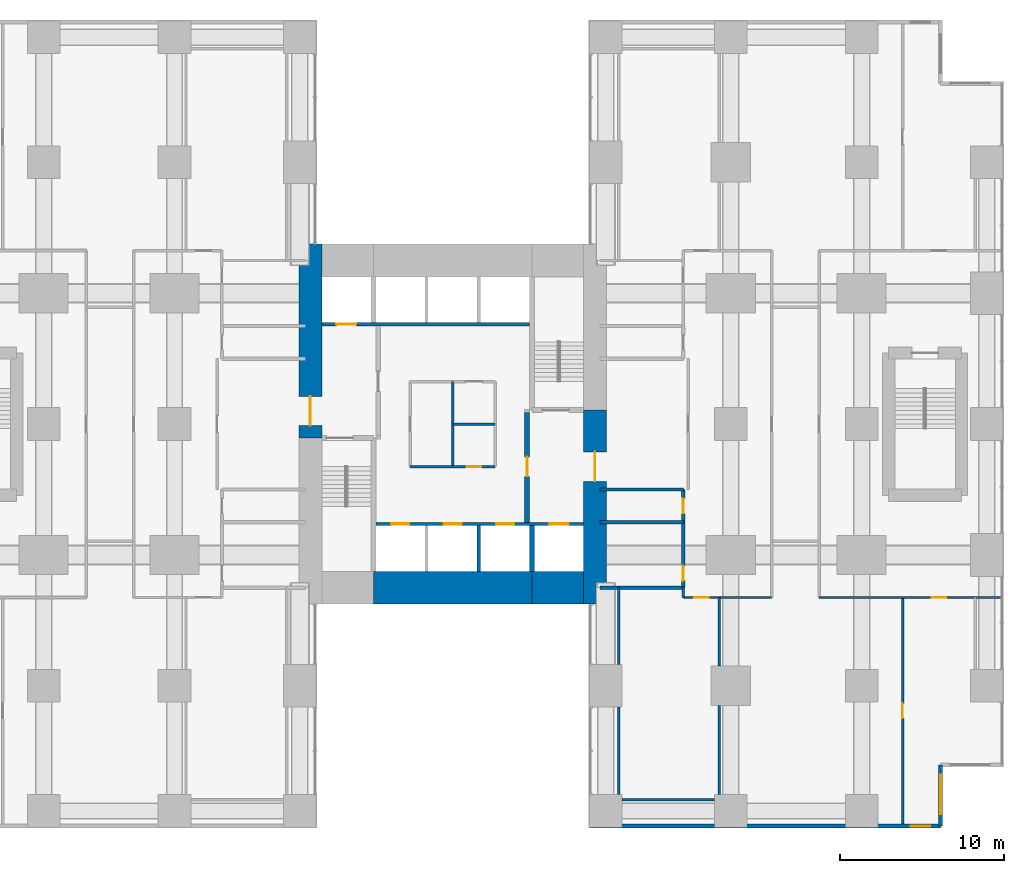
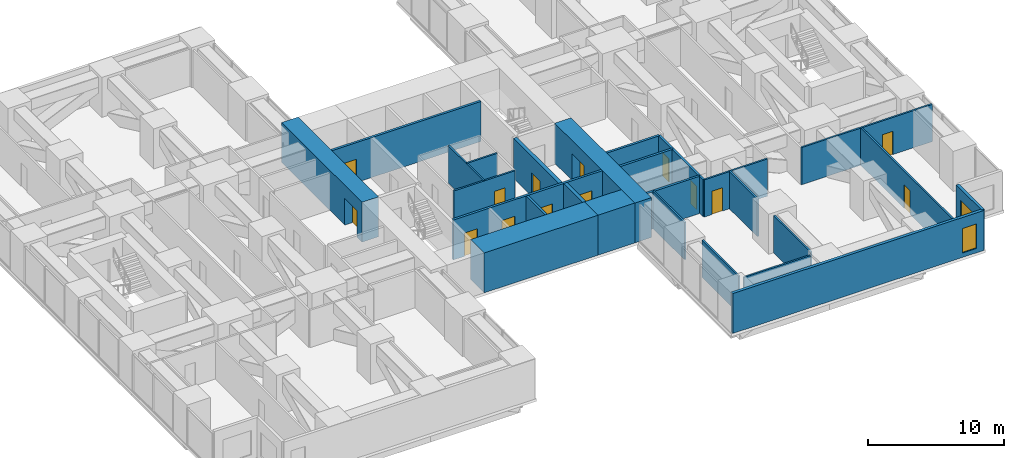
# One storey, part 11 of 15: 27 walls, 14 doors, 2 windows, 16 openings.
"""IFC4 building model written with IfcOpenShell, lengths in metres."""

import ifcopenshell
import ifcopenshell.guid

model = None  # the IFC model being written
_history = None  # IfcOwnerHistory: only IFC2X3 demands one
_inside = {}  # id of a spatial element -> (the spatial element, [elements in it])
_under = {}  # id of a project, library or spatial element -> (it, [spatial elements below it])
_declared = {}  # id of a project -> (the project, [libraries it declares])
_typed = {}  # id of a type object -> (the type object, [elements of that type])
_made_of = {}  # id of a material, layer set ... -> (it, [elements and type objects made of it])


def new_model(schema):
    """Start an empty IFC model of exactly this schema.

    Asked for "IFC4X3", IfcOpenShell would pick the latest addendum, in which some entities
    have other attributes; the version numbers below select the first issue.
    IFC2X3 requires an IfcOwnerHistory on every rooted entity: one is made here for all.
    """
    global model, _history
    if schema == "IFC4X3":
        model = ifcopenshell.file(schema_version=(4, 3, 0, 0))
    else:
        model = ifcopenshell.file(schema=schema)
    _inside.clear()
    _under.clear()
    _declared.clear()
    _typed.clear()
    _made_of.clear()
    _history = None
    if model.schema == "IFC2X3":
        org = make("IfcOrganization", Name="unknown")
        user = make(
            "IfcPersonAndOrganization",
            ThePerson=make("IfcPerson", FamilyName="unknown"),
            TheOrganization=org,
        )
        app = make(
            "IfcApplication",
            ApplicationDeveloper=org,
            Version="unknown",
            ApplicationFullName="unknown",
            ApplicationIdentifier="unknown",
        )
        _history = make(
            "IfcOwnerHistory",
            OwningUser=user,
            OwningApplication=app,
            ChangeAction="ADDED",
            CreationDate=0,
        )
    return model


def make(cls, **values):
    """One entity of the class cls with the attributes given. An attribute that is None is left unset."""
    return model.create_entity(
        cls, **{name: value for name, value in values.items() if value is not None}
    )


def rooted(cls, **values):
    """An entity with a GlobalId (a new one), such as an element, a storey or a relation."""
    return make(cls, GlobalId=ifcopenshell.guid.new(), OwnerHistory=_history, **values)


def si_unit(unit_type, name, prefix=None):
    """IfcSIUnit, for example si_unit("LENGTHUNIT", "METRE", prefix="MILLI")."""
    return make("IfcSIUnit", UnitType=unit_type, Prefix=prefix, Name=name)


def assignment(units):
    """IfcUnitAssignment: the units of a project."""
    return None if units is None else make("IfcUnitAssignment", Units=units)


def point(xyz):
    """IfcCartesianPoint."""
    return None if xyz is None else make("IfcCartesianPoint", Coordinates=xyz)


def direction(xyz):
    """IfcDirection."""
    return None if xyz is None else make("IfcDirection", DirectionRatios=xyz)


def frame(location, z_axis=None, x_axis=None):
    """IfcAxis2Placement3D, a coordinate frame: its origin and axes. An axis left out is left unset."""
    return make(
        "IfcAxis2Placement3D",
        Location=point(location),
        Axis=direction(z_axis),
        RefDirection=direction(x_axis),
    )


def frame_2d(location, x_axis=None):
    """IfcAxis2Placement2D, a coordinate frame in the plane: its origin and x axis."""
    return make(
        "IfcAxis2Placement2D", Location=point(location), RefDirection=direction(x_axis)
    )


def origin():
    """The frame at (0, 0, 0) with its axes left unset."""
    return frame((0.0, 0.0, 0.0))


def place(relative_to, where):
    """IfcLocalPlacement: puts the frame where relative to a parent placement (None: the world)."""
    return make(
        "IfcLocalPlacement", PlacementRelTo=relative_to, RelativePlacement=where
    )


def context(
    kind, dimensions, precision=None, world=None, true_north=None, identifier=None
):
    """IfcGeometricRepresentationContext, for example the 3D "Model" context."""
    return make(
        "IfcGeometricRepresentationContext",
        ContextIdentifier=identifier,
        ContextType=kind,
        CoordinateSpaceDimension=dimensions,
        Precision=precision,
        WorldCoordinateSystem=world,
        TrueNorth=true_north,
    )


def subcontext(parent, identifier, kind, view, scale=None):
    """IfcGeometricRepresentationSubContext, for example "Body" below "Model"."""
    return make(
        "IfcGeometricRepresentationSubContext",
        ContextIdentifier=identifier,
        ContextType=kind,
        ParentContext=parent,
        TargetScale=scale,
        TargetView=view,
    )


def project(units=None, contexts=None):
    """IfcProject with its units and contexts."""
    return rooted(
        "IfcProject",
        Name="project",
        RepresentationContexts=contexts,
        UnitsInContext=assignment(units),
    )


def spatial(cls, under=None, at=None, **own):
    """A site, building, storey or space (cls), placed at a placement, below another one or the project."""
    s = rooted(cls, ObjectPlacement=at, **own)
    if under is not None:
        _under.setdefault(under.id(), (under, []))[1].append(s)
    return s


def profile(cls, at=None, kind="AREA", **sizes):
    """A parametric profile (cls). Its sizes go by their IFC names, for example OverallWidth=200.0."""
    return make(cls, ProfileType=kind, Position=at, **sizes)


def rectangle(**sizes):
    """IfcRectangleProfileDef."""
    return profile("IfcRectangleProfileDef", **sizes)


def extrude(swept, where, along, depth):
    """IfcExtrudedAreaSolid: the profile swept, set in the frame where, extruded along a direction by depth."""
    return make(
        "IfcExtrudedAreaSolid",
        SweptArea=swept,
        Position=where,
        ExtrudedDirection=direction(along),
        Depth=depth,
    )


def shape(context_of_items, identifier, shape_type, items):
    """IfcShapeRepresentation: the items that make up one representation, for example the "Body"."""
    return make(
        "IfcShapeRepresentation",
        ContextOfItems=context_of_items,
        RepresentationIdentifier=identifier,
        RepresentationType=shape_type,
        Items=items,
    )


def material(Name=None, Category=None):
    """IfcMaterial."""
    return make("IfcMaterial", Name=Name, Category=Category)


def layer(
    of_material, thickness, ventilated=None, Name=None, Category=None, Priority=None
):
    """IfcMaterialLayer: one layer of a wall or slab, of a material (None: an air gap)."""
    return make(
        "IfcMaterialLayer",
        Material=of_material,
        LayerThickness=thickness,
        IsVentilated=ventilated,
        Name=Name,
        Category=Category,
        Priority=Priority,
    )


def layer_set(layers, Name=None):
    """IfcMaterialLayerSet."""
    return make("IfcMaterialLayerSet", MaterialLayers=layers, LayerSetName=Name)


def made_of(thing, what):
    """Note that an element or type object is made of a material, layer set ...; save() writes the relation."""
    if what is not None:
        _made_of.setdefault(what.id(), (what, []))[1].append(thing)
    return thing


def type_object(cls, material=None, **own):
    """A type object (cls), such as IfcWallType, which elements share."""
    return made_of(rooted(cls, **own), material)


def element(
    cls,
    number,
    at=None,
    inside=None,
    cuts=None,
    type_object=None,
    material=None,
    context=None,
    identifier="Body",
    shape_type=None,
    held_by="IfcProductDefinitionShape",
    body=None,
    shapes=None,
    **own,
):
    """One element of the class cls, such as IfcWall. Its Tag is "e" and its number.

    at: its placement. inside: the storey or other place that contains it. cuts: it is an
    opening in that element (IfcRelVoidsElement). A single representation is given by context,
    identifier, shape_type and body (its items); several are given by shapes. held_by: the class
    of the entity that holds the representations. save() writes the other relations.
    """
    e = rooted(cls, Tag="e%d" % number, ObjectPlacement=at, **own)
    if body is not None:
        shapes = [shape(context, identifier, shape_type, body)]
    if shapes is not None:
        e.Representation = make(held_by, Representations=shapes)
    if inside is not None:
        _inside.setdefault(inside.id(), (inside, []))[1].append(e)
    if cuts is not None:
        rooted(
            "IfcRelVoidsElement", RelatingBuildingElement=cuts, RelatedOpeningElement=e
        )
    if type_object is not None:
        _typed.setdefault(type_object.id(), (type_object, []))[1].append(e)
    return made_of(e, material)


def fill(opening, filler):
    """IfcRelFillsElement: the door or window that sits in an opening."""
    return rooted(
        "IfcRelFillsElement",
        RelatingOpeningElement=opening,
        RelatedBuildingElement=filler,
    )


def aggregate(whole, parts):
    """IfcRelAggregates: a whole, such as a stair, and the parts it consists of."""
    return rooted("IfcRelAggregates", RelatingObject=whole, RelatedObjects=parts)


def save(model, path):
    """Write the relations noted so far, then the file.

    IfcRelAggregates (storeys below a building ...), IfcRelContainedInSpatialStructure (elements
    in a storey), IfcRelDefinesByType, IfcRelAssociatesMaterial and IfcRelDeclares: one each for
    every whole, place, type object, material and project.
    """
    for whole, parts in _under.values():
        aggregate(whole, parts)
    for where, things in _inside.values():
        rooted(
            "IfcRelContainedInSpatialStructure",
            RelatedElements=things,
            RelatingStructure=where,
        )
    for kind, things in _typed.values():
        rooted("IfcRelDefinesByType", RelatedObjects=things, RelatingType=kind)
    for what, things in _made_of.values():
        rooted("IfcRelAssociatesMaterial", RelatedObjects=things, RelatingMaterial=what)
    for by, libraries in _declared.values():
        rooted("IfcRelDeclares", RelatingContext=by, RelatedDefinitions=libraries)
    model.write(path)


model = new_model("IFC4")

# Units and contexts
model_context = context("Model", 3, precision=1e-05, world=origin(), true_north=direction((0.0, 1.0)))
body_context = subcontext(model_context, "Body", "Model", "MODEL_VIEW")
ifc_project = project(units=[si_unit("LENGTHUNIT", "METRE"), si_unit("AREAUNIT", "SQUARE_METRE"), si_unit("VOLUMEUNIT", "CUBIC_METRE"), si_unit("PLANEANGLEUNIT", "RADIAN"), si_unit("MASSUNIT", "GRAM", prefix="KILO")], contexts=[model_context])

# Site, building, storey
site_placement = place(None, origin())
site = spatial("IfcSite", under=ifc_project, at=site_placement, CompositionType="ELEMENT")
building_placement = place(site_placement, origin())
building = spatial("IfcBuilding", under=site, at=building_placement, Name="Cleftline Residences", CompositionType="ELEMENT")
storey_placement = place(building_placement, frame((0.0, 0.0, 132.199951171875)))
storey = spatial("IfcBuildingStorey", under=building, at=storey_placement, Name="L34", CompositionType="ELEMENT", Elevation=132.199951171875)

# Wall, opening, door
ifc_material_1 = material(Name="Concrete B70", Category="concrete")
ifc_layer_1 = layer(ifc_material_1, 1.39990234375)
ifc_layer_set_1 = layer_set([ifc_layer_1], Name="CORE WALL 1400")
wall_type_1 = type_object("IfcWallType", Name="CORE WALL 1400", PredefinedType="SHEAR", material=ifc_layer_set_1)
wall_1_placement = place(storey_placement, frame((24.300048828125, 23.14990234375, 0.0), z_axis=(0.0, 0.0, 1.0), x_axis=(0.0, 1.0, 0.0)))
wall_1 = element("IfcWall", 1, at=wall_1_placement, inside=storey, type_object=wall_type_1, Name="Core wall W", PredefinedType="SHEAR", context=body_context, shape_type="SweptSolid", body=[
    extrude(rectangle(XDim=11.85009765625, YDim=1.39990234375, at=frame_2d((5.925048828125, 0.0))), origin(), (0.0, 0.0, 1.0), 3.60009765625),
])
opening_1_placement = place(wall_1_placement, frame((0.75, 0.0, 0.0)))
opening_1 = element("IfcOpeningElement", 2, at=opening_1_placement, cuts=wall_1, Name="Opening D7", PredefinedType="OPENING", context=body_context, shape_type="SweptSolid", body=[
    extrude(rectangle(XDim=1.800048828125, YDim=2.39990234375, at=frame_2d((0.89990234375, 1.199951171875))), frame((0.0, 0.7099609375, 0.0), z_axis=(0.0, -1.0, 0.0), x_axis=(1.0, 0.0, 0.0)), (0.0, 0.0, 1.0), 1.419921875),
])
ifc_material_2 = material(Name="Steel", Category="steel")
door_type_1 = type_object("IfcDoorType", Name="WING DOOR 1800X2400", OperationType="DOUBLE_DOOR_DOUBLE_SWING", PredefinedType="DOOR", material=ifc_material_2)
door_1_placement = place(opening_1_placement, origin())
door_1 = element("IfcDoor", 3, at=door_1_placement, inside=storey, type_object=door_type_1, Name="West wing door", OperationType="DOUBLE_DOOR_DOUBLE_SWING", OverallHeight=2.39990234375, OverallWidth=1.800048828125, PredefinedType="DOOR", context=body_context, shape_type="SweptSolid", body=[
    extrude(rectangle(XDim=1.800048828125, YDim=2.39990234375, at=frame_2d((0.89990234375, 1.199951171875))), frame((0.0, 0.02490234375, 0.0), z_axis=(0.0, -1.0, 0.0), x_axis=(1.0, 0.0, 0.0)), (0.0, 0.0, 1.0), 0.050048828125),
])
fill(opening_1, door_1)

wall_2_placement = place(storey_placement, frame((41.699951171875, 13.0, 0.0), z_axis=(0.0, 0.0, 1.0), x_axis=(0.0, 1.0, 0.0)))
wall_2 = element("IfcWall", 4, at=wall_2_placement, inside=storey, type_object=wall_type_1, Name="Core wall E", PredefinedType="SHEAR", context=body_context, shape_type="SweptSolid", body=[
    extrude(rectangle(XDim=11.85009765625, YDim=1.39990234375, at=frame_2d((5.925048828125, 0.0))), origin(), (0.0, 0.0, 1.0), 3.60009765625),
])
opening_2_placement = place(wall_2_placement, frame((7.5, 0.0, 0.0)))
opening_2 = element("IfcOpeningElement", 5, at=opening_2_placement, cuts=wall_2, Name="Opening D7", PredefinedType="OPENING", context=body_context, shape_type="SweptSolid", body=[
    extrude(rectangle(XDim=1.800048828125, YDim=2.39990234375, at=frame_2d((0.89990234375, 1.199951171875))), frame((0.0, 0.7099609375, 0.0), z_axis=(0.0, -1.0, 0.0), x_axis=(1.0, 0.0, 0.0)), (0.0, 0.0, 1.0), 1.419921875),
])
door_2_placement = place(opening_2_placement, origin())
door_2 = element("IfcDoor", 6, at=door_2_placement, inside=storey, type_object=door_type_1, Name="East wing door", OperationType="DOUBLE_DOOR_DOUBLE_SWING", OverallHeight=2.39990234375, OverallWidth=1.800048828125, PredefinedType="DOOR", context=body_context, shape_type="SweptSolid", body=[
    extrude(rectangle(XDim=1.800048828125, YDim=2.39990234375, at=frame_2d((0.89990234375, 1.199951171875))), frame((0.0, 0.02490234375, 0.0), z_axis=(0.0, -1.0, 0.0), x_axis=(1.0, 0.0, 0.0)), (0.0, 0.0, 1.0), 0.050048828125),
])
fill(opening_2, door_2)

# Walls
ifc_material_3 = material(Name="Concrete B70", Category="concrete")
ifc_layer_2 = layer(ifc_material_3, 2.0)
ifc_layer_set_2 = layer_set([ifc_layer_2], Name="CORE WALL 2000")
wall_type_2 = type_object("IfcWallType", Name="CORE WALL 2000", PredefinedType="SHEAR", material=ifc_layer_set_2)
wall_3_placement = place(storey_placement, frame((28.14990234375, 14.0, 0.0), z_axis=(0.0, 0.0, 1.0), x_axis=(1.0, 0.0, 0.0)))
element("IfcWall", 7, at=wall_3_placement, inside=storey, type_object=wall_type_2, Name="Core wall S2", PredefinedType="SHEAR", context=body_context, shape_type="SweptSolid", body=[
    extrude(rectangle(XDim=9.7001953125, YDim=2.0, at=frame_2d((4.85009765625, 0.0))), origin(), (0.0, 0.0, 1.0), 3.60009765625),
])
wall_4_placement = place(storey_placement, frame((37.85009765625, 14.0, 0.0), z_axis=(0.0, 0.0, 1.0), x_axis=(1.0, 0.0, 0.0)))
element("IfcWall", 8, at=wall_4_placement, inside=storey, type_object=wall_type_2, Name="Core wall S3", PredefinedType="SHEAR", context=body_context, shape_type="SweptSolid", body=[
    extrude(rectangle(XDim=3.14990234375, YDim=2.0, at=frame_2d((1.574951171875, 0.0))), origin(), (0.0, 0.0, 1.0), 3.60009765625),
])
ifc_material_4 = material(Name="Concrete B70", Category="concrete")
ifc_layer_3 = layer(ifc_material_4, 0.300048828125)
ifc_layer_set_3 = layer_set([ifc_layer_3], Name="CORE WALL 300")
wall_type_3 = type_object("IfcWallType", Name="CORE WALL 300", PredefinedType="SHEAR", material=ifc_layer_set_3)
wall_5_placement = place(storey_placement, frame((37.85009765625, 15.0, 0.0), z_axis=(0.0, 0.0, 1.0), x_axis=(0.0, 1.0, 0.0)))
element("IfcWall", 9, at=wall_5_placement, inside=storey, type_object=wall_type_3, Name="Lift shaft wall", PredefinedType="SHEAR", context=body_context, shape_type="SweptSolid", body=[
    extrude(rectangle(XDim=2.800048828125, YDim=0.300048828125, at=frame_2d((1.39990234375, 0.0))), origin(), (0.0, 0.0, 1.0), 3.60009765625),
])

# Wall, opening, window
ifc_material_5 = material(Name="Rendered reinforced concrete blockwork", Category="masonry")
ifc_layer_4 = layer(ifc_material_5, 0.25)
ifc_layer_set_4 = layer_set([ifc_layer_4], Name="EXTERNAL WALL 250")
wall_type_4 = type_object("IfcWallType", Name="EXTERNAL WALL 250", PredefinedType="SOLIDWALL", material=ifc_layer_set_4)
wall_6_placement = place(storey_placement, frame((41.425048828125, -0.574951171875, 0.0), z_axis=(0.0, 0.0, 1.0), x_axis=(1.0, 0.0, 0.0)))
wall_6 = element("IfcWall", 10, at=wall_6_placement, inside=storey, type_object=wall_type_4, Name="External wall", PredefinedType="SOLIDWALL", context=body_context, shape_type="SweptSolid", body=[
    extrude(rectangle(XDim=21.39990234375, YDim=0.25, at=frame_2d((10.699951171875, 0.0))), origin(), (0.0, 0.0, 1.0), 3.60009765625),
])
opening_3_placement = place(wall_6_placement, frame((19.574951171875, 0.0, 0.39990234375)))
opening_3 = element("IfcOpeningElement", 11, at=opening_3_placement, cuts=wall_6, Name="Opening W11", PredefinedType="OPENING", context=body_context, shape_type="SweptSolid", body=[
    extrude(rectangle(XDim=1.199951171875, YDim=2.199951171875, at=frame_2d((0.60009765625, 1.10009765625))), frame((0.0, 0.135009765625, 0.0), z_axis=(0.0, -1.0, 0.0), x_axis=(1.0, 0.0, 0.0)), (0.0, 0.0, 1.0), 0.27001953125),
])
ifc_material_6 = material(Name="Aluminium frame, clear double glazing", Category="aluminium")
window_type_1 = type_object("IfcWindowType", Name="WINDOW 1200X2200", PartitioningType="DOUBLE_PANEL_VERTICAL", PredefinedType="WINDOW", material=ifc_material_6)
window_1_placement = place(opening_3_placement, origin())
window_1 = element("IfcWindow", 12, at=window_1_placement, inside=storey, type_object=window_type_1, Name="Window", OverallHeight=2.199951171875, OverallWidth=1.199951171875, PartitioningType="SINGLE_PANEL", PredefinedType="WINDOW", context=body_context, shape_type="SweptSolid", body=[
    extrude(rectangle(XDim=1.199951171875, YDim=2.199951171875, at=frame_2d((0.60009765625, 1.10009765625))), frame((0.0, 0.030029296875, 0.0), z_axis=(0.0, -1.0, 0.0), x_axis=(1.0, 0.0, 0.0)), (0.0, 0.0, 1.0), 0.06005859375),
])
fill(opening_3, window_1)

wall_7_placement = place(storey_placement, frame((62.824951171875, -0.574951171875, 0.0), z_axis=(0.0, 0.0, 1.0), x_axis=(0.0, 1.0, 0.0)))
wall_7 = element("IfcWall", 13, at=wall_7_placement, inside=storey, type_object=wall_type_4, Name="External wall", PredefinedType="SOLIDWALL", context=body_context, shape_type="SweptSolid", body=[
    extrude(rectangle(XDim=3.75, YDim=0.25, at=frame_2d((1.875, 0.0))), origin(), (0.0, 0.0, 1.0), 3.60009765625),
])
opening_4_placement = place(wall_7_placement, frame((0.737548828125, 0.0, 0.39990234375)))
opening_4 = element("IfcOpeningElement", 14, at=opening_4_placement, cuts=wall_7, Name="Opening W12", PredefinedType="OPENING", context=body_context, shape_type="SweptSolid", body=[
    extrude(rectangle(XDim=2.39990234375, YDim=2.199951171875, at=frame_2d((1.199951171875, 1.10009765625))), frame((0.0, 0.135009765625, 0.0), z_axis=(0.0, -1.0, 0.0), x_axis=(1.0, 0.0, 0.0)), (0.0, 0.0, 1.0), 0.27001953125),
])
ifc_material_7 = material(Name="Aluminium frame, clear double glazing", Category="aluminium")
window_type_2 = type_object("IfcWindowType", Name="WINDOW 2400X2200", PartitioningType="DOUBLE_PANEL_VERTICAL", PredefinedType="WINDOW", material=ifc_material_7)
window_2_placement = place(opening_4_placement, origin())
window_2 = element("IfcWindow", 15, at=window_2_placement, inside=storey, type_object=window_type_2, Name="Window", OverallHeight=2.199951171875, OverallWidth=2.39990234375, PartitioningType="SINGLE_PANEL", PredefinedType="WINDOW", context=body_context, shape_type="SweptSolid", body=[
    extrude(rectangle(XDim=2.39990234375, YDim=2.199951171875, at=frame_2d((1.199951171875, 1.10009765625))), frame((0.0, 0.030029296875, 0.0), z_axis=(0.0, -1.0, 0.0), x_axis=(1.0, 0.0, 0.0)), (0.0, 0.0, 1.0), 0.06005859375),
])
fill(opening_4, window_2)

# Walls
ifc_material_8 = material(Name="Concrete blockwork, fire rated", Category="masonry")
ifc_layer_5 = layer(ifc_material_8, 0.199951171875)
ifc_layer_set_5 = layer_set([ifc_layer_5], Name="FIRE WALL 200")
wall_type_5 = type_object("IfcWallType", Name="FIRE WALL 200", PredefinedType="PARTITIONING", material=ifc_layer_set_5)
for number, where, z_axis, x_axis, name in (
    (16, (42.0, 14.0, 0.0), (0.0, 0.0, 1.0), (1.0, 0.0, 0.0), "Fire separating wall"),
    (17, (42.0, 18.0, 0.0), (0.0, 0.0, 1.0), (1.0, 0.0, 0.0), "Fire separating wall"),
    (18, (42.0, 20.0, 0.0), (0.0, 0.0, 1.0), (1.0, 0.0, 0.0), "Fire separating wall"),
):
    element("IfcWall", number, at=place(storey_placement, frame(where, z_axis=z_axis, x_axis=x_axis)), inside=storey, type_object=wall_type_5, Name=name, PredefinedType="PARTITIONING", context=body_context, shape_type="SweptSolid", body=[
        extrude(rectangle(XDim=5.10009765625, YDim=0.199951171875, at=frame_2d((2.550048828125, 0.0))), origin(), (0.0, 0.0, 1.0), 3.35009765625),
    ])

# Wall, openings, doors
wall_8_placement = place(storey_placement, frame((47.10009765625, 14.0, 0.0), z_axis=(0.0, 0.0, 1.0), x_axis=(0.0, 1.0, 0.0)))
wall_8 = element("IfcWall", 19, at=wall_8_placement, inside=storey, type_object=wall_type_5, Name="Fire separating wall", PredefinedType="PARTITIONING", context=body_context, shape_type="SweptSolid", body=[
    extrude(rectangle(XDim=6.0, YDim=0.199951171875, at=frame_2d((3.0, 0.0))), origin(), (0.0, 0.0, 1.0), 3.35009765625),
])
opening_5_placement = place(wall_8_placement, frame((0.43994140625, 0.0, 0.0)))
opening_5 = element("IfcOpeningElement", 20, at=opening_5_placement, cuts=wall_8, Name="Opening D1F30", PredefinedType="OPENING", context=body_context, shape_type="SweptSolid", body=[
    extrude(rectangle(XDim=0.89990234375, YDim=2.10009765625, at=frame_2d((0.449951171875, 1.050048828125))), frame((0.0, 0.10986328125, 0.0), z_axis=(0.0, -1.0, 0.0), x_axis=(1.0, 0.0, 0.0)), (0.0, 0.0, 1.0), 0.219970703125),
])
opening_6_placement = place(wall_8_placement, frame((4.5400390625, 0.0, 0.0)))
opening_6 = element("IfcOpeningElement", 21, at=opening_6_placement, cuts=wall_8, Name="Opening D1F30", PredefinedType="OPENING", context=body_context, shape_type="SweptSolid", body=[
    extrude(rectangle(XDim=0.89990234375, YDim=2.10009765625, at=frame_2d((0.449951171875, 1.050048828125))), frame((0.0, 0.10986328125, 0.0), z_axis=(0.0, -1.0, 0.0), x_axis=(1.0, 0.0, 0.0)), (0.0, 0.0, 1.0), 0.219970703125),
])
ifc_material_9 = material(Name="Timber veneer on solid core", Category="wood")
door_type_2 = type_object("IfcDoorType", Name="DOOR 900X2100 EI 30", OperationType="SINGLE_SWING_LEFT", PredefinedType="DOOR", material=ifc_material_9)
door_3_placement = place(opening_5_placement, origin())
door_3 = element("IfcDoor", 22, at=door_3_placement, inside=storey, type_object=door_type_2, Name="Door to male wc", OperationType="SINGLE_SWING_RIGHT", OverallHeight=2.10009765625, OverallWidth=0.89990234375, PredefinedType="DOOR", context=body_context, shape_type="SweptSolid", body=[
    extrude(rectangle(XDim=0.89990234375, YDim=2.10009765625, at=frame_2d((0.449951171875, 1.050048828125))), frame((0.0, 0.02490234375, 0.0), z_axis=(0.0, -1.0, 0.0), x_axis=(1.0, 0.0, 0.0)), (0.0, 0.0, 1.0), 0.050048828125),
])
fill(opening_5, door_3)
door_4_placement = place(opening_6_placement, origin())
door_4 = element("IfcDoor", 23, at=door_4_placement, inside=storey, type_object=door_type_2, Name="Door to female wc", OperationType="SINGLE_SWING_LEFT", OverallHeight=2.10009765625, OverallWidth=0.89990234375, PredefinedType="DOOR", context=body_context, shape_type="SweptSolid", body=[
    extrude(rectangle(XDim=0.89990234375, YDim=2.10009765625, at=frame_2d((0.449951171875, 1.050048828125))), frame((0.0, 0.02490234375, 0.0), z_axis=(0.0, -1.0, 0.0), x_axis=(1.0, 0.0, 0.0)), (0.0, 0.0, 1.0), 0.050048828125),
])
fill(opening_6, door_4)

# Wall
ifc_material_10 = material(Name="Gypsum board on steel studs", Category="steel")
ifc_layer_6 = layer(ifc_material_10, 0.14990234375)
ifc_layer_set_6 = layer_set([ifc_layer_6], Name="PARTITION 150")
wall_type_6 = type_object("IfcWallType", Name="PARTITION 150", PredefinedType="PARTITIONING", material=ifc_layer_set_6)
wall_9_placement = place(storey_placement, frame((43.35009765625, 1.050048828125, 0.0), z_axis=(0.0, 0.0, 1.0), x_axis=(1.0, 0.0, 0.0)))
element("IfcWall", 24, at=wall_9_placement, inside=storey, type_object=wall_type_6, Name="Partition", PredefinedType="PARTITIONING", context=body_context, shape_type="SweptSolid", body=[
    extrude(rectangle(XDim=5.64990234375, YDim=0.14990234375, at=frame_2d((2.824951171875, 0.0))), origin(), (0.0, 0.0, 1.0), 3.35009765625),
])

# Wall, opening, door
wall_10_placement = place(storey_placement, frame((47.10009765625, 13.39990234375, 0.0), z_axis=(0.0, 0.0, 1.0), x_axis=(1.0, 0.0, 0.0)))
wall_10 = element("IfcWall", 25, at=wall_10_placement, inside=storey, type_object=wall_type_6, Name="Partition", PredefinedType="PARTITIONING", context=body_context, shape_type="SweptSolid", body=[
    extrude(rectangle(XDim=5.39990234375, YDim=0.14990234375, at=frame_2d((2.699951171875, 0.0))), origin(), (0.0, 0.0, 1.0), 3.35009765625),
])
opening_7_placement = place(wall_10_placement, frame((0.659912109375, 0.0, 0.0)))
opening_7 = element("IfcOpeningElement", 26, at=opening_7_placement, cuts=wall_10, Name="Opening D1", PredefinedType="OPENING", context=body_context, shape_type="SweptSolid", body=[
    extrude(rectangle(XDim=0.89990234375, YDim=2.10009765625, at=frame_2d((0.449951171875, 1.050048828125))), frame((0.0, 0.0849609375, 0.0), z_axis=(0.0, -1.0, 0.0), x_axis=(1.0, 0.0, 0.0)), (0.0, 0.0, 1.0), 0.169921875),
])
ifc_material_11 = material(Name="Timber veneer on solid core", Category="wood")
door_type_3 = type_object("IfcDoorType", Name="DOOR 900X2100", OperationType="SINGLE_SWING_LEFT", PredefinedType="DOOR", material=ifc_material_11)
door_5_placement = place(opening_7_placement, origin())
door_5 = element("IfcDoor", 27, at=door_5_placement, inside=storey, type_object=door_type_3, Name="Door to meeting room", OperationType="SINGLE_SWING_RIGHT", OverallHeight=2.10009765625, OverallWidth=0.89990234375, PredefinedType="DOOR", context=body_context, shape_type="SweptSolid", body=[
    extrude(rectangle(XDim=0.89990234375, YDim=2.10009765625, at=frame_2d((0.449951171875, 1.050048828125))), frame((0.0, 0.02490234375, 0.0), z_axis=(0.0, -1.0, 0.0), x_axis=(1.0, 0.0, 0.0)), (0.0, 0.0, 1.0), 0.050048828125),
])
fill(opening_7, door_5)

wall_11_placement = place(storey_placement, frame((55.39990234375, 13.39990234375, 0.0), z_axis=(0.0, 0.0, 1.0), x_axis=(1.0, 0.0, 0.0)))
wall_11 = element("IfcWall", 28, at=wall_11_placement, inside=storey, type_object=wall_type_6, Name="Partition", PredefinedType="PARTITIONING", context=body_context, shape_type="SweptSolid", body=[
    extrude(rectangle(XDim=11.1611328125, YDim=0.14990234375, at=frame_2d((5.58056640625, 0.0))), origin(), (0.0, 0.0, 1.0), 3.35009765625),
])
opening_8_placement = place(wall_11_placement, frame((6.8798828125, 0.0, 0.0)))
opening_8 = element("IfcOpeningElement", 29, at=opening_8_placement, cuts=wall_11, Name="Opening D1", PredefinedType="OPENING", context=body_context, shape_type="SweptSolid", body=[
    extrude(rectangle(XDim=0.89990234375, YDim=2.10009765625, at=frame_2d((0.449951171875, 1.050048828125))), frame((0.0, 0.0849609375, 0.0), z_axis=(0.0, -1.0, 0.0), x_axis=(1.0, 0.0, 0.0)), (0.0, 0.0, 1.0), 0.169921875),
])
door_6_placement = place(opening_8_placement, origin())
door_6 = element("IfcDoor", 30, at=door_6_placement, inside=storey, type_object=door_type_3, Name="Door to private dining room", OperationType="SINGLE_SWING_LEFT", OverallHeight=2.10009765625, OverallWidth=0.89990234375, PredefinedType="DOOR", context=body_context, shape_type="SweptSolid", body=[
    extrude(rectangle(XDim=0.89990234375, YDim=2.10009765625, at=frame_2d((0.449951171875, 1.050048828125))), frame((0.0, 0.02490234375, 0.0), z_axis=(0.0, -1.0, 0.0), x_axis=(1.0, 0.0, 0.0)), (0.0, 0.0, 1.0), 0.050048828125),
])
fill(opening_8, door_6)

# Walls
wall_12_placement = place(storey_placement, frame((43.14990234375, 1.35009765625, 0.0), z_axis=(0.0, 0.0, 1.0), x_axis=(0.0, 1.0, 0.0)))
element("IfcWall", 31, at=wall_12_placement, inside=storey, type_object=wall_type_6, Name="Partition", PredefinedType="PARTITIONING", context=body_context, shape_type="SweptSolid", body=[
    extrude(rectangle(XDim=5.349853515625, YDim=0.14990234375, at=frame_2d((2.6748046875, 0.0))), origin(), (0.0, 0.0, 1.0), 3.35009765625),
])
wall_13_placement = place(storey_placement, frame((43.14990234375, 9.300048828125, 0.0), z_axis=(0.0, 0.0, 1.0), x_axis=(0.0, 1.0, 0.0)))
element("IfcWall", 32, at=wall_13_placement, inside=storey, type_object=wall_type_6, Name="Partition", PredefinedType="PARTITIONING", context=body_context, shape_type="SweptSolid", body=[
    extrude(rectangle(XDim=4.699951171875, YDim=0.14990234375, at=frame_2d((2.35009765625, 0.0))), origin(), (0.0, 0.0, 1.0), 3.35009765625),
])
wall_14_placement = place(storey_placement, frame((47.10009765625, 13.39990234375, 0.0), z_axis=(0.0, 0.0, 1.0), x_axis=(0.0, 1.0, 0.0)))
element("IfcWall", 33, at=wall_14_placement, inside=storey, type_object=wall_type_6, Name="Partition", PredefinedType="PARTITIONING", context=body_context, shape_type="SweptSolid", body=[
    extrude(rectangle(XDim=0.60009765625, YDim=0.14990234375, at=frame_2d((0.300048828125, 0.0))), origin(), (0.0, 0.0, 1.0), 3.35009765625),
])
wall_15_placement = place(storey_placement, frame((49.300048828125, 1.35009765625, 0.0), z_axis=(0.0, 0.0, 1.0), x_axis=(0.0, 1.0, 0.0)))
element("IfcWall", 34, at=wall_15_placement, inside=storey, type_object=wall_type_6, Name="Partition", PredefinedType="PARTITIONING", context=body_context, shape_type="SweptSolid", body=[
    extrude(rectangle(XDim=5.449951171875, YDim=0.14990234375, at=frame_2d((2.72509765625, 0.0))), origin(), (0.0, 0.0, 1.0), 3.35009765625),
])
wall_16_placement = place(storey_placement, frame((49.300048828125, 9.199951171875, 0.0), z_axis=(0.0, 0.0, 1.0), x_axis=(0.0, 1.0, 0.0)))
element("IfcWall", 35, at=wall_16_placement, inside=storey, type_object=wall_type_6, Name="Partition", PredefinedType="PARTITIONING", context=body_context, shape_type="SweptSolid", body=[
    extrude(rectangle(XDim=4.199951171875, YDim=0.14990234375, at=frame_2d((2.10009765625, 0.0))), origin(), (0.0, 0.0, 1.0), 3.35009765625),
])

# Wall, opening, door
wall_17_placement = place(storey_placement, frame((60.5, -0.449951171875, 0.0), z_axis=(0.0, 0.0, 1.0), x_axis=(0.0, 1.0, 0.0)))
wall_17 = element("IfcWall", 36, at=wall_17_placement, inside=storey, type_object=wall_type_6, Name="Partition", PredefinedType="PARTITIONING", context=body_context, shape_type="SweptSolid", body=[
    extrude(rectangle(XDim=13.849853515625, YDim=0.14990234375, at=frame_2d((6.9248046875, 0.0))), origin(), (0.0, 0.0, 1.0), 3.35009765625),
])
opening_9_placement = place(wall_17_placement, frame((6.47998046875, 0.0, 0.0)))
opening_9 = element("IfcOpeningElement", 37, at=opening_9_placement, cuts=wall_17, Name="Opening D1", PredefinedType="OPENING", context=body_context, shape_type="SweptSolid", body=[
    extrude(rectangle(XDim=0.89990234375, YDim=2.10009765625, at=frame_2d((0.449951171875, 1.050048828125))), frame((0.0, 0.0849609375, 0.0), z_axis=(0.0, -1.0, 0.0), x_axis=(1.0, 0.0, 0.0)), (0.0, 0.0, 1.0), 0.169921875),
])
door_7_placement = place(opening_9_placement, origin())
door_7 = element("IfcDoor", 38, at=door_7_placement, inside=storey, type_object=door_type_3, Name="Door to catering kitchen", OperationType="SINGLE_SWING_LEFT", OverallHeight=2.10009765625, OverallWidth=0.89990234375, PredefinedType="DOOR", context=body_context, shape_type="SweptSolid", body=[
    extrude(rectangle(XDim=0.89990234375, YDim=2.10009765625, at=frame_2d((0.449951171875, 1.050048828125))), frame((0.0, 0.02490234375, 0.0), z_axis=(0.0, -1.0, 0.0), x_axis=(1.0, 0.0, 0.0)), (0.0, 0.0, 1.0), 0.050048828125),
])
fill(opening_9, door_7)

ifc_material_12 = material(Name="Fire-resisting gypsum board on steel studs", Category="steel")
ifc_layer_7 = layer(ifc_material_12, 0.14990234375)
ifc_layer_set_7 = layer_set([ifc_layer_7], Name="PARTITION 150 EI 60")
wall_type_7 = type_object("IfcWallType", Name="PARTITION 150 EI 60", PredefinedType="PARTITIONING", material=ifc_layer_set_7)
wall_18_placement = place(storey_placement, frame((30.39990234375, 21.39990234375, 0.0), z_axis=(0.0, 0.0, 1.0), x_axis=(1.0, 0.0, 0.0)))
wall_18 = element("IfcWall", 39, at=wall_18_placement, inside=storey, type_object=wall_type_7, Name="Core room partition", PredefinedType="PARTITIONING", context=body_context, shape_type="SweptSolid", body=[
    extrude(rectangle(XDim=5.2001953125, YDim=0.14990234375, at=frame_2d((2.60009765625, 0.0))), origin(), (0.0, 0.0, 1.0), 3.35009765625),
])
opening_10_placement = place(wall_18_placement, frame((3.449951171875, 0.0, 0.0)))
opening_10 = element("IfcOpeningElement", 40, at=opening_10_placement, cuts=wall_18, Name="Opening D1F30", PredefinedType="OPENING", context=body_context, shape_type="SweptSolid", body=[
    extrude(rectangle(XDim=0.89990234375, YDim=2.10009765625, at=frame_2d((0.449951171875, 1.050048828125))), frame((0.0, 0.0849609375, 0.0), z_axis=(0.0, -1.0, 0.0), x_axis=(1.0, 0.0, 0.0)), (0.0, 0.0, 1.0), 0.169921875),
])
door_8_placement = place(opening_10_placement, origin())
door_8 = element("IfcDoor", 41, at=door_8_placement, inside=storey, type_object=door_type_2, Name="Door to guest pantry", OperationType="SINGLE_SWING_LEFT", OverallHeight=2.10009765625, OverallWidth=0.89990234375, PredefinedType="DOOR", context=body_context, shape_type="SweptSolid", body=[
    extrude(rectangle(XDim=0.89990234375, YDim=2.10009765625, at=frame_2d((0.449951171875, 1.050048828125))), frame((0.0, 0.02490234375, 0.0), z_axis=(0.0, -1.0, 0.0), x_axis=(1.0, 0.0, 0.0)), (0.0, 0.0, 1.0), 0.050048828125),
])
fill(opening_10, door_8)

# Walls
wall_19_placement = place(storey_placement, frame((33.0, 24.0, 0.0), z_axis=(0.0, 0.0, 1.0), x_axis=(1.0, 0.0, 0.0)))
element("IfcWall", 42, at=wall_19_placement, inside=storey, type_object=wall_type_7, Name="Core room partition", PredefinedType="PARTITIONING", context=body_context, shape_type="SweptSolid", body=[
    extrude(rectangle(XDim=2.60009765625, YDim=0.14990234375, at=frame_2d((1.300048828125, 0.0))), origin(), (0.0, 0.0, 1.0), 3.35009765625),
])
wall_20_placement = place(storey_placement, frame((33.0, 21.39990234375, 0.0), z_axis=(0.0, 0.0, 1.0), x_axis=(0.0, 1.0, 0.0)))
element("IfcWall", 43, at=wall_20_placement, inside=storey, type_object=wall_type_7, Name="Core room partition", PredefinedType="PARTITIONING", context=body_context, shape_type="SweptSolid", body=[
    extrude(rectangle(XDim=5.2001953125, YDim=0.14990234375, at=frame_2d((2.60009765625, 0.0))), origin(), (0.0, 0.0, 1.0), 3.35009765625),
])

# Wall, openings, doors
ifc_material_13 = material(Name="Concrete blockwork, fire rated", Category="masonry")
ifc_layer_8 = layer(ifc_material_13, 0.199951171875)
ifc_layer_set_8 = layer_set([ifc_layer_8], Name="SHAFT WALL 200")
wall_type_8 = type_object("IfcWallType", Name="SHAFT WALL 200", PredefinedType="PARTITIONING", material=ifc_layer_set_8)
wall_21_placement = place(storey_placement, frame((28.300048828125, 17.89990234375, 0.0), z_axis=(0.0, 0.0, 1.0), x_axis=(1.0, 0.0, 0.0)))
wall_21 = element("IfcWall", 44, at=wall_21_placement, inside=storey, type_object=wall_type_8, Name="Lift shaft wall", PredefinedType="PARTITIONING", context=body_context, shape_type="SweptSolid", body=[
    extrude(rectangle(XDim=12.699951171875, YDim=0.199951171875, at=frame_2d((6.35009765625, 0.0))), origin(), (0.0, 0.0, 1.0), 3.60009765625),
])
opening_11_placement = place(wall_21_placement, frame((0.949951171875, 0.0, 0.0)))
opening_11 = element("IfcOpeningElement", 45, at=opening_11_placement, cuts=wall_21, Name="Opening LD1", PredefinedType="OPENING", context=body_context, shape_type="SweptSolid", body=[
    extrude(rectangle(XDim=1.10009765625, YDim=2.10009765625, at=frame_2d((0.550048828125, 1.050048828125))), frame((0.0, 0.10986328125, 0.0), z_axis=(0.0, -1.0, 0.0), x_axis=(1.0, 0.0, 0.0)), (0.0, 0.0, 1.0), 0.219970703125),
])
opening_12_placement = place(wall_21_placement, frame((4.14990234375, 0.0, 0.0)))
opening_12 = element("IfcOpeningElement", 46, at=opening_12_placement, cuts=wall_21, Name="Opening LD1", PredefinedType="OPENING", context=body_context, shape_type="SweptSolid", body=[
    extrude(rectangle(XDim=1.10009765625, YDim=2.10009765625, at=frame_2d((0.550048828125, 1.050048828125))), frame((0.0, 0.10986328125, 0.0), z_axis=(0.0, -1.0, 0.0), x_axis=(1.0, 0.0, 0.0)), (0.0, 0.0, 1.0), 0.219970703125),
])
opening_13_placement = place(wall_21_placement, frame((7.35009765625, 0.0, 0.0)))
opening_13 = element("IfcOpeningElement", 47, at=opening_13_placement, cuts=wall_21, Name="Opening LD1", PredefinedType="OPENING", context=body_context, shape_type="SweptSolid", body=[
    extrude(rectangle(XDim=1.10009765625, YDim=2.10009765625, at=frame_2d((0.550048828125, 1.050048828125))), frame((0.0, 0.10986328125, 0.0), z_axis=(0.0, -1.0, 0.0), x_axis=(1.0, 0.0, 0.0)), (0.0, 0.0, 1.0), 0.219970703125),
])
opening_14_placement = place(wall_21_placement, frame((10.60009765625, 0.0, 0.0)))
opening_14 = element("IfcOpeningElement", 48, at=opening_14_placement, cuts=wall_21, Name="Opening LD2", PredefinedType="OPENING", context=body_context, shape_type="SweptSolid", body=[
    extrude(rectangle(XDim=1.199951171875, YDim=2.10009765625, at=frame_2d((0.60009765625, 1.050048828125))), frame((0.0, 0.10986328125, 0.0), z_axis=(0.0, -1.0, 0.0), x_axis=(1.0, 0.0, 0.0)), (0.0, 0.0, 1.0), 0.219970703125),
])
ifc_material_14 = material(Name="Steel", Category="steel")
door_type_4 = type_object("IfcDoorType", Name="FIREFIGHTING LIFT LANDING DOOR 1200X2100", OperationType="SLIDING_TO_LEFT", PredefinedType="DOOR", material=ifc_material_14)
door_9_placement = place(opening_14_placement, origin())
door_9 = element("IfcDoor", 49, at=door_9_placement, inside=storey, type_object=door_type_4, Name="Lift FL2 landing door", OperationType="SLIDING_TO_LEFT", OverallHeight=2.10009765625, OverallWidth=1.199951171875, PredefinedType="DOOR", context=body_context, shape_type="SweptSolid", body=[
    extrude(rectangle(XDim=1.199951171875, YDim=2.10009765625, at=frame_2d((0.60009765625, 1.050048828125))), frame((0.0, 0.02490234375, 0.0), z_axis=(0.0, -1.0, 0.0), x_axis=(1.0, 0.0, 0.0)), (0.0, 0.0, 1.0), 0.050048828125),
])
fill(opening_14, door_9)
ifc_material_15 = material(Name="Steel", Category="steel")
door_type_5 = type_object("IfcDoorType", Name="LIFT LANDING DOOR 1100X2100", OperationType="SLIDING_TO_LEFT", PredefinedType="DOOR", material=ifc_material_15)
door_10_placement = place(opening_11_placement, origin())
door_10 = element("IfcDoor", 50, at=door_10_placement, inside=storey, type_object=door_type_5, Name="Lift P1 landing door", OperationType="SLIDING_TO_LEFT", OverallHeight=2.10009765625, OverallWidth=1.10009765625, PredefinedType="DOOR", context=body_context, shape_type="SweptSolid", body=[
    extrude(rectangle(XDim=1.10009765625, YDim=2.10009765625, at=frame_2d((0.550048828125, 1.050048828125))), frame((0.0, 0.02490234375, 0.0), z_axis=(0.0, -1.0, 0.0), x_axis=(1.0, 0.0, 0.0)), (0.0, 0.0, 1.0), 0.050048828125),
])
fill(opening_11, door_10)
door_11_placement = place(opening_12_placement, origin())
door_11 = element("IfcDoor", 51, at=door_11_placement, inside=storey, type_object=door_type_5, Name="Lift P2 landing door", OperationType="SLIDING_TO_LEFT", OverallHeight=2.10009765625, OverallWidth=1.10009765625, PredefinedType="DOOR", context=body_context, shape_type="SweptSolid", body=[
    extrude(rectangle(XDim=1.10009765625, YDim=2.10009765625, at=frame_2d((0.550048828125, 1.050048828125))), frame((0.0, 0.02490234375, 0.0), z_axis=(0.0, -1.0, 0.0), x_axis=(1.0, 0.0, 0.0)), (0.0, 0.0, 1.0), 0.050048828125),
])
fill(opening_12, door_11)
door_12_placement = place(opening_13_placement, origin())
door_12 = element("IfcDoor", 52, at=door_12_placement, inside=storey, type_object=door_type_5, Name="Lift P3 landing door", OperationType="SLIDING_TO_LEFT", OverallHeight=2.10009765625, OverallWidth=1.10009765625, PredefinedType="DOOR", context=body_context, shape_type="SweptSolid", body=[
    extrude(rectangle(XDim=1.10009765625, YDim=2.10009765625, at=frame_2d((0.550048828125, 1.050048828125))), frame((0.0, 0.02490234375, 0.0), z_axis=(0.0, -1.0, 0.0), x_axis=(1.0, 0.0, 0.0)), (0.0, 0.0, 1.0), 0.050048828125),
])
fill(opening_13, door_12)

# Wall, opening, door
wall_22_placement = place(storey_placement, frame((25.0, 30.10009765625, 0.0), z_axis=(0.0, 0.0, 1.0), x_axis=(1.0, 0.0, 0.0)))
wall_22 = element("IfcWall", 53, at=wall_22_placement, inside=storey, type_object=wall_type_8, Name="Lift shaft wall", PredefinedType="PARTITIONING", context=body_context, shape_type="SweptSolid", body=[
    extrude(rectangle(XDim=12.699951171875, YDim=0.199951171875, at=frame_2d((6.35009765625, 0.0))), origin(), (0.0, 0.0, 1.0), 3.60009765625),
])
opening_15_placement = place(wall_22_placement, frame((0.89990234375, 0.0, 0.0)))
opening_15 = element("IfcOpeningElement", 54, at=opening_15_placement, cuts=wall_22, Name="Opening LD2", PredefinedType="OPENING", context=body_context, shape_type="SweptSolid", body=[
    extrude(rectangle(XDim=1.199951171875, YDim=2.10009765625, at=frame_2d((0.60009765625, 1.050048828125))), frame((0.0, 0.10986328125, 0.0), z_axis=(0.0, -1.0, 0.0), x_axis=(1.0, 0.0, 0.0)), (0.0, 0.0, 1.0), 0.219970703125),
])
door_13_placement = place(opening_15_placement, origin())
door_13 = element("IfcDoor", 55, at=door_13_placement, inside=storey, type_object=door_type_4, Name="Lift FL1 landing door", OperationType="SLIDING_TO_LEFT", OverallHeight=2.10009765625, OverallWidth=1.199951171875, PredefinedType="DOOR", context=body_context, shape_type="SweptSolid", body=[
    extrude(rectangle(XDim=1.199951171875, YDim=2.10009765625, at=frame_2d((0.60009765625, 1.050048828125))), frame((0.0, 0.02490234375, 0.0), z_axis=(0.0, -1.0, 0.0), x_axis=(1.0, 0.0, 0.0)), (0.0, 0.0, 1.0), 0.050048828125),
])
fill(opening_15, door_13)

# Wall
wall_23_placement = place(storey_placement, frame((34.60009765625, 15.0, 0.0), z_axis=(0.0, 0.0, 1.0), x_axis=(0.0, 1.0, 0.0)))
element("IfcWall", 56, at=wall_23_placement, inside=storey, type_object=wall_type_8, Name="Lift shaft wall", PredefinedType="PARTITIONING", context=body_context, shape_type="SweptSolid", body=[
    extrude(rectangle(XDim=2.800048828125, YDim=0.199951171875, at=frame_2d((1.39990234375, 0.0))), origin(), (0.0, 0.0, 1.0), 3.60009765625),
])

# Wall, opening, door
ifc_material_16 = material(Name="Concrete blockwork, fire rated", Category="masonry")
ifc_layer_9 = layer(ifc_material_16, 0.300048828125)
ifc_layer_set_9 = layer_set([ifc_layer_9], Name="STAIR LOBBY WALL 300")
wall_type_9 = type_object("IfcWallType", Name="STAIR LOBBY WALL 300", PredefinedType="PARTITIONING", material=ifc_layer_set_9)
wall_24_placement = place(storey_placement, frame((37.550048828125, 18.0, 0.0), z_axis=(0.0, 0.0, 1.0), x_axis=(0.0, 1.0, 0.0)))
wall_24 = element("IfcWall", 57, at=wall_24_placement, inside=storey, type_object=wall_type_9, Name="Stair and lobby wall FB-W", PredefinedType="PARTITIONING", context=body_context, shape_type="SweptSolid", body=[
    extrude(rectangle(XDim=6.699951171875, YDim=0.300048828125, at=frame_2d((3.35009765625, 0.0))), origin(), (0.0, 0.0, 1.0), 3.60009765625),
])
opening_16_placement = place(wall_24_placement, frame((2.800048828125, 0.0, 0.0)))
opening_16 = element("IfcOpeningElement", 58, at=opening_16_placement, cuts=wall_24, Name="Opening D6", PredefinedType="OPENING", context=body_context, shape_type="SweptSolid", body=[
    extrude(rectangle(XDim=1.199951171875, YDim=2.10009765625, at=frame_2d((0.60009765625, 1.050048828125))), frame((0.0, 0.159912109375, 0.0), z_axis=(0.0, -1.0, 0.0), x_axis=(1.0, 0.0, 0.0)), (0.0, 0.0, 1.0), 0.320068359375),
])
ifc_material_17 = material(Name="Steel", Category="steel")
door_type_6 = type_object("IfcDoorType", Name="LOBBY DOOR 1200X2100", OperationType="SINGLE_SWING_RIGHT", PredefinedType="DOOR", material=ifc_material_17)
door_14_placement = place(opening_16_placement, origin())
door_14 = element("IfcDoor", 59, at=door_14_placement, inside=storey, type_object=door_type_6, Name="Firefighting lobby B door", OperationType="SINGLE_SWING_LEFT", OverallHeight=2.10009765625, OverallWidth=1.199951171875, PredefinedType="DOOR", context=body_context, shape_type="SweptSolid", body=[
    extrude(rectangle(XDim=1.199951171875, YDim=2.10009765625, at=frame_2d((0.60009765625, 1.050048828125))), frame((0.0, 0.02490234375, 0.0), z_axis=(0.0, -1.0, 0.0), x_axis=(1.0, 0.0, 0.0)), (0.0, 0.0, 1.0), 0.050048828125),
])
fill(opening_16, door_14)

save(model, "model.ifc")
